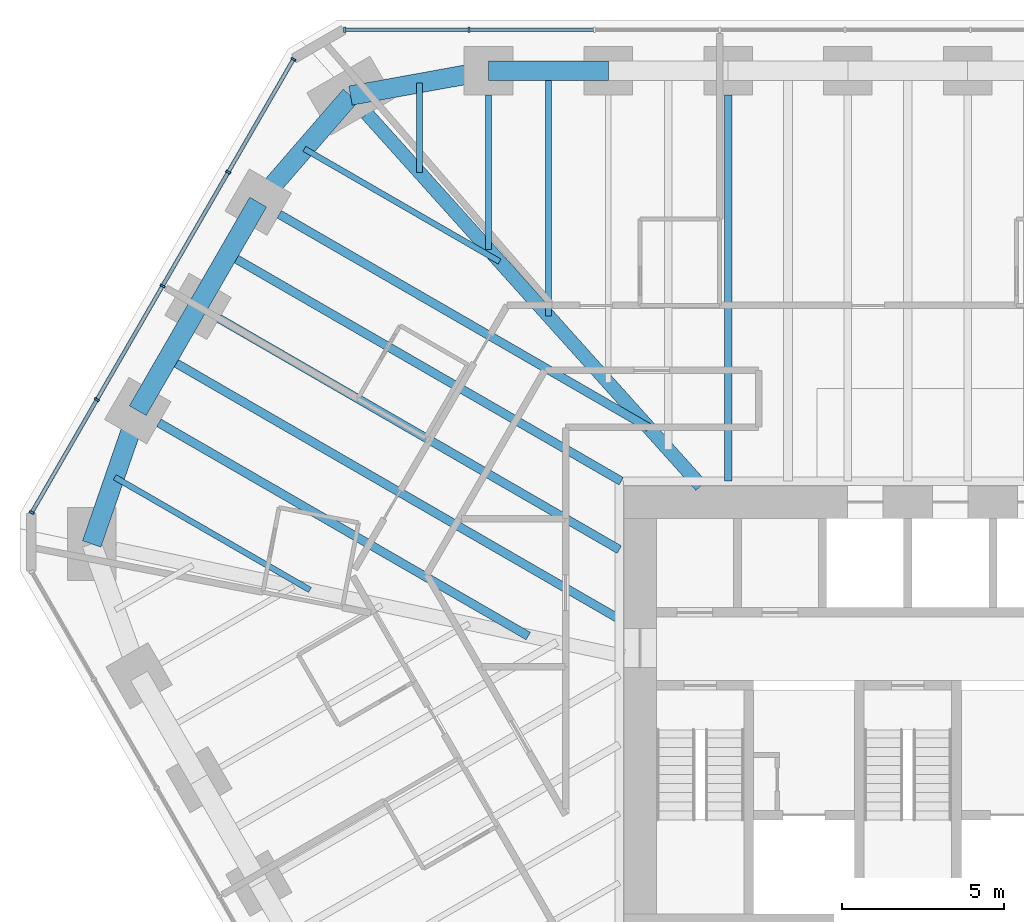
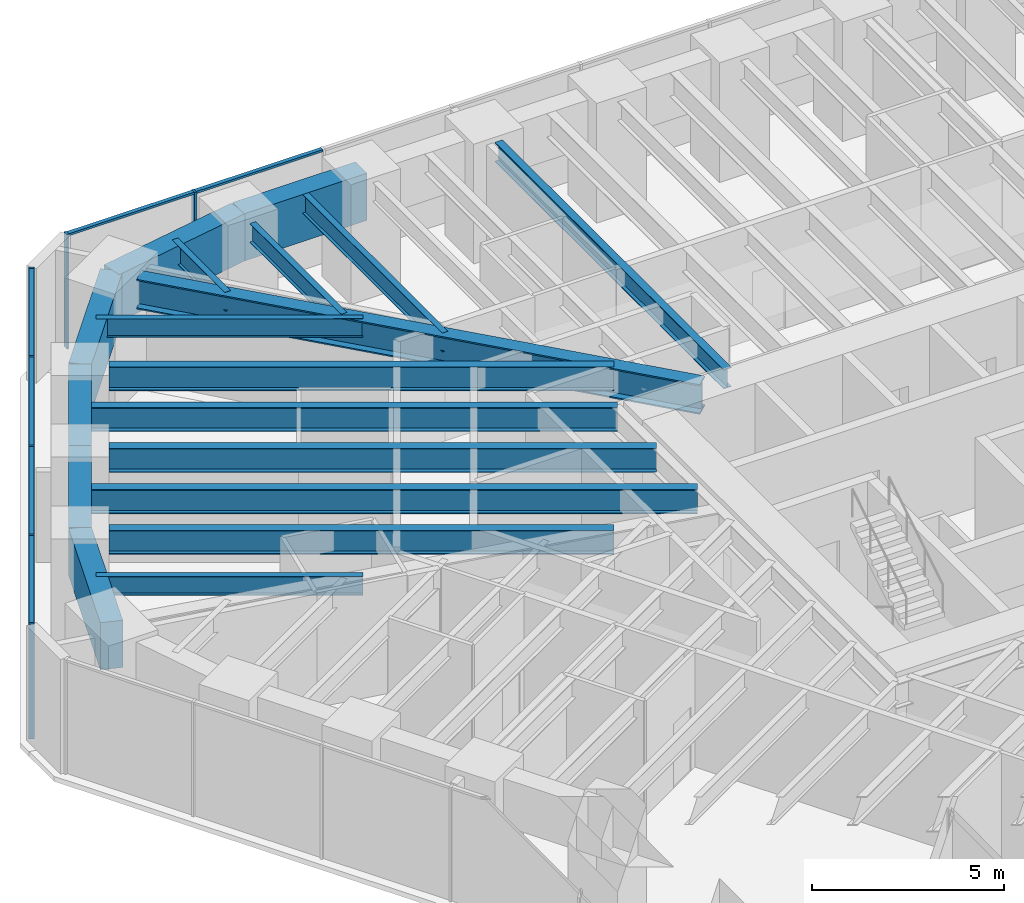
# One storey, part 7 of 17: 18 beams, 13 members, 2 elements without a shape of their own.
"""IFC4 building model written with IfcOpenShell, lengths in metres."""

from ifc_helpers import new_model, si_unit, direction, frame, origin, origin_2d, place, context, subcontext, project, spatial, rectangle, i_section, extrude, material, material_profile, profile_set, type_object, element, aggregate, save


model = new_model("IFC4")

# Units and contexts
model_context = context("Model", 3, precision=1e-05, world=origin(), true_north=direction((0.0, 1.0)))
body_context = subcontext(model_context, "Body", "Model", "MODEL_VIEW")
ifc_project = project(units=[si_unit("LENGTHUNIT", "METRE"), si_unit("AREAUNIT", "SQUARE_METRE"), si_unit("VOLUMEUNIT", "CUBIC_METRE"), si_unit("PLANEANGLEUNIT", "RADIAN"), si_unit("MASSUNIT", "GRAM", prefix="KILO")], contexts=[model_context])

# Site, building, storey
site_placement = place(None, origin())
site = spatial("IfcSite", under=ifc_project, at=site_placement, CompositionType="ELEMENT")
building_placement = place(site_placement, origin())
building = spatial("IfcBuilding", under=site, at=building_placement, Name="Sandreach Pilgrim Tower", CompositionType="ELEMENT")
storey_placement = place(building_placement, frame((0.0, 0.0, 221.199951171875)))
storey = spatial("IfcBuildingStorey", under=building, at=storey_placement, Name="L55", CompositionType="ELEMENT", Elevation=221.199951171875)

# Curtain wall, members
ifc_material_1 = material(Name="Aluminium framed curtain wall", Category="aluminium")
curtain_wall_type = type_object("IfcCurtainWallType", Name="Upper hotel tower curtain wall", PredefinedType="NOTDEFINED", material=ifc_material_1)
curtain_wall_1_placement = place(storey_placement, origin())
curtain_wall_1 = element("IfcCurtainWall", 1, at=curtain_wall_1_placement, inside=storey, type_object=curtain_wall_type, Name="CW-3 L55 N", PredefinedType="NOTDEFINED")
ifc_material_2 = material(Name="Aluminium extrusion", Category="aluminium")
ifc_material_profile_1 = material_profile(ifc_material_2, rectangle(XDim=0.06494140625, YDim=0.159912109375, at=origin_2d()), Name="CW-3M 65X160")
ifc_profile_set_1 = profile_set([ifc_material_profile_1], Name="Aluminium extrusion")
member_type_1 = type_object("IfcMemberType", Name="CW-3 mullion", PredefinedType="MULLION", material=ifc_profile_set_1)
member_1_placement = place(storey_placement, frame((-17.357421875, 21.16015625, 0.0), z_axis=(0.0, 0.0, 1.0), x_axis=(1.0, 0.0, 0.0)))
member_1 = element("IfcMember", 2, at=member_1_placement, type_object=member_type_1, Name="CW-3 mullion 1", PredefinedType="MULLION", context=body_context, shape_type="SweptSolid", body=[
    extrude(rectangle(XDim=0.06494140625, YDim=0.159912109375, at=origin_2d()), origin(), (0.0, 0.0, 1.0), 3.64013671875),
])
member_2_placement = place(storey_placement, frame((-13.525390625, 21.16015625, 0.0), z_axis=(0.0, 0.0, 1.0), x_axis=(1.0, 0.0, 0.0)))
member_2 = element("IfcMember", 3, at=member_2_placement, type_object=member_type_1, Name="CW-3 mullion 2", PredefinedType="MULLION", context=body_context, shape_type="SweptSolid", body=[
    extrude(rectangle(XDim=0.06494140625, YDim=0.159912109375, at=origin_2d()), origin(), (0.0, 0.0, 1.0), 3.64013671875),
])

curtain_wall_2_placement = place(storey_placement, origin())
curtain_wall_2 = element("IfcCurtainWall", 4, at=curtain_wall_2_placement, inside=storey, type_object=curtain_wall_type, Name="CW-3 L55 NW", PredefinedType="NOTDEFINED")
member_3_placement = place(storey_placement, frame((-27.00390625, 6.278076171875, 0.0), z_axis=(0.0, 0.0, 1.0), x_axis=(0.5, 0.866025403784, 0.0)))
member_3 = element("IfcMember", 5, at=member_3_placement, type_object=member_type_1, Name="CW-3 mullion 1", PredefinedType="MULLION", context=body_context, shape_type="SweptSolid", body=[
    extrude(rectangle(XDim=0.06494140625, YDim=0.159912109375, at=origin_2d()), origin(), (0.0, 0.0, 1.0), 3.64013671875),
])
member_4_placement = place(storey_placement, frame((-24.995849609375, 9.75634765625, 0.0), z_axis=(0.0, 0.0, 1.0), x_axis=(0.5, 0.866025403784, 0.0)))
member_4 = element("IfcMember", 6, at=member_4_placement, type_object=member_type_1, Name="CW-3 mullion 2", PredefinedType="MULLION", context=body_context, shape_type="SweptSolid", body=[
    extrude(rectangle(XDim=0.06494140625, YDim=0.159912109375, at=origin_2d()), origin(), (0.0, 0.0, 1.0), 3.64013671875),
])
member_5_placement = place(storey_placement, frame((-22.971435546875, 13.262451171875, 0.0), z_axis=(0.0, 0.0, 1.0), x_axis=(0.5, 0.866025403784, 0.0)))
member_5 = element("IfcMember", 7, at=member_5_placement, type_object=member_type_1, Name="CW-3 mullion 3", PredefinedType="MULLION", context=body_context, shape_type="SweptSolid", body=[
    extrude(rectangle(XDim=0.06494140625, YDim=0.159912109375, at=origin_2d()), origin(), (0.0, 0.0, 1.0), 3.64013671875),
])
member_6_placement = place(storey_placement, frame((-20.947021484375, 16.768798828125, 0.0), z_axis=(0.0, 0.0, 1.0), x_axis=(0.5, 0.866025403784, 0.0)))
member_6 = element("IfcMember", 8, at=member_6_placement, type_object=member_type_1, Name="CW-3 mullion 4", PredefinedType="MULLION", context=body_context, shape_type="SweptSolid", body=[
    extrude(rectangle(XDim=0.06494140625, YDim=0.159912109375, at=origin_2d()), origin(), (0.0, 0.0, 1.0), 3.64013671875),
])
member_7_placement = place(storey_placement, frame((-18.93896484375, 20.2470703125, 0.0), z_axis=(0.0, 0.0, 1.0), x_axis=(0.5, 0.866025403784, 0.0)))
member_7 = element("IfcMember", 9, at=member_7_placement, type_object=member_type_1, Name="CW-3 mullion 5", PredefinedType="MULLION", context=body_context, shape_type="SweptSolid", body=[
    extrude(rectangle(XDim=0.06494140625, YDim=0.159912109375, at=origin_2d()), origin(), (0.0, 0.0, 1.0), 3.64013671875),
])

# Member
ifc_material_3 = material(Name="Aluminium extrusion", Category="aluminium")
ifc_material_profile_2 = material_profile(ifc_material_3, rectangle(XDim=0.1201171875, YDim=0.070068359375, at=origin_2d()), Name="CW-3T 120X70")
ifc_profile_set_2 = profile_set([ifc_material_profile_2], Name="Aluminium extrusion")
member_type_2 = type_object("IfcMemberType", Name="CW-3 transom", PredefinedType="USERDEFINED", material=ifc_profile_set_2)
member_8_placement = place(storey_placement, frame((-17.324951171875, 21.16015625, 3.60498046875), z_axis=(1.0, 0.0, 0.0), x_axis=(0.0, 1.0, 0.0)))
member_8 = element("IfcMember", 10, at=member_8_placement, type_object=member_type_2, Name="CW-3 head transom 1", ObjectType="TRANSOM", PredefinedType="USERDEFINED", context=body_context, shape_type="SweptSolid", body=[
    extrude(rectangle(XDim=0.1201171875, YDim=0.070068359375, at=origin_2d()), origin(), (0.0, 0.0, 1.0), 3.76708984375),
])

member_9_placement = place(storey_placement, frame((-13.492919921875, 21.16015625, 3.60498046875), z_axis=(1.0, 0.0, 0.0), x_axis=(0.0, 1.0, 0.0)))
member_9 = element("IfcMember", 11, at=member_9_placement, type_object=member_type_2, Name="CW-3 head transom 2", ObjectType="TRANSOM", PredefinedType="USERDEFINED", context=body_context, shape_type="SweptSolid", body=[
    extrude(rectangle(XDim=0.1201171875, YDim=0.070068359375, at=origin_2d()), origin(), (0.0, 0.0, 1.0), 3.79931640625),
])

aggregate(curtain_wall_1, [member_1, member_2, member_8, member_9])

member_10_placement = place(storey_placement, frame((-26.987548828125, 6.306396484375, 3.60498046875), z_axis=(0.499993448556, 0.866029186229, 0.0), x_axis=(-0.866029186229, 0.499993448556, 0.0)))
member_10 = element("IfcMember", 12, at=member_10_placement, type_object=member_type_2, Name="CW-3 head transom 1", ObjectType="TRANSOM", PredefinedType="USERDEFINED", context=body_context, shape_type="SweptSolid", body=[
    extrude(rectangle(XDim=0.1201171875, YDim=0.070068359375, at=origin_2d()), origin(), (0.0, 0.0, 1.0), 3.951171875),
])

member_11_placement = place(storey_placement, frame((-24.9794921875, 9.784423828125, 3.60498046875), z_axis=(0.499975332564, 0.866039645067, 0.0), x_axis=(-0.866039645067, 0.499975332564, 0.0)))
member_11 = element("IfcMember", 13, at=member_11_placement, type_object=member_type_2, Name="CW-3 head transom 2", ObjectType="TRANSOM", PredefinedType="USERDEFINED", context=body_context, shape_type="SweptSolid", body=[
    extrude(rectangle(XDim=0.1201171875, YDim=0.070068359375, at=origin_2d()), origin(), (0.0, 0.0, 1.0), 3.983642578125),
])

member_12_placement = place(storey_placement, frame((-22.955078125, 13.290771484375, 3.60498046875), z_axis=(0.499975332564, 0.866039645067, 0.0), x_axis=(-0.866039645067, 0.499975332564, 0.0)))
member_12 = element("IfcMember", 14, at=member_12_placement, type_object=member_type_2, Name="CW-3 head transom 3", ObjectType="TRANSOM", PredefinedType="USERDEFINED", context=body_context, shape_type="SweptSolid", body=[
    extrude(rectangle(XDim=0.1201171875, YDim=0.070068359375, at=origin_2d()), origin(), (0.0, 0.0, 1.0), 3.983642578125),
])

member_13_placement = place(storey_placement, frame((-20.930908203125, 16.796875, 3.60498046875), z_axis=(0.499993448556, 0.866029186229, 0.0), x_axis=(-0.866029186229, 0.499993448556, 0.0)))
member_13 = element("IfcMember", 15, at=member_13_placement, type_object=member_type_2, Name="CW-3 head transom 4", ObjectType="TRANSOM", PredefinedType="USERDEFINED", context=body_context, shape_type="SweptSolid", body=[
    extrude(rectangle(XDim=0.1201171875, YDim=0.070068359375, at=origin_2d()), origin(), (0.0, 0.0, 1.0), 3.951171875),
])

aggregate(curtain_wall_2, [member_3, member_4, member_5, member_6, member_7, member_10, member_11, member_12, member_13])

# Beams
ifc_material_4 = material(Name="Steel ASTM A992 Grade 50", Category="steel")
ifc_material_profile_3 = material_profile(ifc_material_4, i_section(OverallWidth=0.424072265625, OverallDepth=0.947509765625, WebThickness=0.02392578125, FlangeThickness=0.042724609375, at=origin_2d()), Name="W36X302")
ifc_profile_set_3 = profile_set([ifc_material_profile_3], Name="Steel ASTM A992 Grade 50")
beam_type_1 = type_object("IfcBeamType", Name="Corner girder W36X302", PredefinedType="BEAM", material=ifc_profile_set_3)
beam_1_placement = place(storey_placement, frame((-16.677001953125, 18.572509765625, 3.166259765625), z_axis=(0.668116607722, -0.744056582853, 0.0), x_axis=(0.744056582853, 0.668116607722, 0.0)))
element("IfcBeam", 16, at=beam_1_placement, inside=storey, type_object=beam_type_1, Name="BM L55 CG39", PredefinedType="BEAM", context=body_context, shape_type="SweptSolid", body=[
    extrude(i_section(OverallWidth=0.424072265625, OverallDepth=0.947509765625, WebThickness=0.02392578125, FlangeThickness=0.042724609375, at=origin_2d()), origin(), (0.0, 0.0, 1.0), 15.418701171875),
])
ifc_material_5 = material(Name="Steel ASTM A992 Grade 50", Category="steel")
ifc_material_profile_4 = material_profile(ifc_material_5, i_section(OverallWidth=0.1787109375, OverallDepth=0.60205078125, WebThickness=0.010986328125, FlangeThickness=0.014892578125, at=origin_2d()), Name="W24X62")
ifc_profile_set_4 = profile_set([ifc_material_profile_4], Name="Steel ASTM A992 Grade 50")
beam_type_2 = type_object("IfcBeamType", Name="Floor beam W24X62", PredefinedType="BEAM", material=ifc_profile_set_4)
beam_2_placement = place(storey_placement, frame((-12.923828125, 19.150146484375, 3.339111328125), z_axis=(0.0, -1.0, 0.0), x_axis=(1.0, 0.0, 0.0)))
element("IfcBeam", 17, at=beam_2_placement, inside=storey, type_object=beam_type_2, Name="BM L55 F01", PredefinedType="BEAM", context=body_context, shape_type="SweptSolid", body=[
    extrude(i_section(OverallWidth=0.1787109375, OverallDepth=0.60205078125, WebThickness=0.010986328125, FlangeThickness=0.014892578125, at=origin_2d()), origin(), (0.0, 0.0, 1.0), 4.757568359375),
])
beam_3_placement = place(storey_placement, frame((-11.077392578125, 19.900146484375, 3.339111328125), z_axis=(0.0, -1.0, 0.0), x_axis=(1.0, 0.0, 0.0)))
element("IfcBeam", 18, at=beam_3_placement, inside=storey, type_object=beam_type_2, Name="BM L55 FM01", PredefinedType="BEAM", context=body_context, shape_type="SweptSolid", body=[
    extrude(i_section(OverallWidth=0.1787109375, OverallDepth=0.60205078125, WebThickness=0.010986328125, FlangeThickness=0.014892578125, at=origin_2d()), origin(), (0.0, 0.0, 1.0), 7.563720703125),
])
for number, where, z_axis, x_axis, name in (
    (19, (-24.446044921875, 7.365234375, 3.339111328125), (0.866029381593, -0.499993110171, 0.0), (0.499993110171, 0.866029381593, 0.0), "BM L55 FM35"),
    (20, (-18.6015625, 17.48828125, 3.339111328125), (0.866029381593, -0.499993110171, 0.0), (0.499993110171, 0.866029381593, 0.0), "BM L55 FM38"),
):
    element("IfcBeam", number, at=place(storey_placement, frame(where, z_axis=z_axis, x_axis=x_axis)), inside=storey, type_object=beam_type_2, Name=name, PredefinedType="BEAM", context=body_context, shape_type="SweptSolid", body=[
        extrude(i_section(OverallWidth=0.1787109375, OverallDepth=0.60205078125, WebThickness=0.010986328125, FlangeThickness=0.014892578125, at=origin_2d()), origin(), (0.0, 0.0, 1.0), 6.94921875),
    ])
beam_4_placement = place(storey_placement, frame((-15.05078125, 19.515380859375, 3.339111328125), z_axis=(0.0, -1.0, 0.0), x_axis=(1.0, 0.0, 0.0)))
element("IfcBeam", 21, at=beam_4_placement, inside=storey, type_object=beam_type_2, Name="BM L55 FM39", PredefinedType="BEAM", context=body_context, shape_type="SweptSolid", body=[
    extrude(i_section(OverallWidth=0.1787109375, OverallDepth=0.60205078125, WebThickness=0.010986328125, FlangeThickness=0.014892578125, at=origin_2d()), origin(), (0.0, 0.0, 1.0), 2.75390625),
])
ifc_material_6 = material(Name="Steel ASTM A992 Grade 50", Category="steel")
ifc_material_profile_5 = material_profile(ifc_material_6, i_section(OverallWidth=0.23046875, OverallDepth=0.6171875, WebThickness=0.01318359375, FlangeThickness=0.022216796875, at=origin_2d()), Name="W24X94")
ifc_profile_set_5 = profile_set([ifc_material_profile_5], Name="Steel ASTM A992 Grade 50")
beam_type_3 = type_object("IfcBeamType", Name="Floor beam W24X94", PredefinedType="BEAM", material=ifc_profile_set_5)
beam_5_placement = place(storey_placement, frame((-5.538818359375, 19.150146484375, 3.33154296875), z_axis=(0.0, -1.0, 0.0), x_axis=(1.0, 0.0, 0.0)))
element("IfcBeam", 22, at=beam_5_placement, inside=storey, type_object=beam_type_3, Name="BM L55 F03", PredefinedType="BEAM", context=body_context, shape_type="SweptSolid", body=[
    extrude(i_section(OverallWidth=0.23046875, OverallDepth=0.6171875, WebThickness=0.01318359375, FlangeThickness=0.022216796875, at=origin_2d()), origin(), (0.0, 0.0, 1.0), 11.90673828125),
])
ifc_material_7 = material(Name="Steel ASTM A992 Grade 50", Category="steel")
ifc_material_profile_6 = material_profile(ifc_material_7, i_section(OverallWidth=0.2666015625, OverallDepth=0.761962890625, WebThickness=0.014404296875, FlangeThickness=0.021484375, at=origin_2d()), Name="W30X116")
ifc_profile_set_6 = profile_set([ifc_material_profile_6], Name="Steel ASTM A992 Grade 50")
beam_type_4 = type_object("IfcBeamType", Name="Floor beam W30X116", PredefinedType="BEAM", material=ifc_profile_set_6)
beam_6_placement = place(storey_placement, frame((-23.0859375, 9.044189453125, 3.259033203125), z_axis=(0.866026962808, -0.499997299682, 0.0), x_axis=(0.499997299682, 0.866026962808, 0.0)))
element("IfcBeam", 23, at=beam_6_placement, inside=storey, type_object=beam_type_4, Name="BM L55 F36", PredefinedType="BEAM", context=body_context, shape_type="SweptSolid", body=[
    extrude(i_section(OverallWidth=0.2666015625, OverallDepth=0.761962890625, WebThickness=0.014404296875, FlangeThickness=0.021484375, at=origin_2d()), origin(), (0.0, 0.0, 1.0), 13.1484375),
])
beam_7_placement = place(storey_placement, frame((-21.230712890625, 12.257568359375, 3.259033203125), z_axis=(0.866024056942, -0.500002332792, 0.0), x_axis=(0.500002332792, 0.866024056942, 0.0)))
element("IfcBeam", 24, at=beam_7_placement, inside=storey, type_object=beam_type_4, Name="BM L55 F37", PredefinedType="BEAM", context=body_context, shape_type="SweptSolid", body=[
    extrude(i_section(OverallWidth=0.2666015625, OverallDepth=0.761962890625, WebThickness=0.014404296875, FlangeThickness=0.021484375, at=origin_2d()), origin(), (0.0, 0.0, 1.0), 14.24609375),
])
beam_8_placement = place(storey_placement, frame((-19.37548828125, 15.470947265625, 3.259033203125), z_axis=(0.866022320763, -0.500005339912, 0.0), x_axis=(0.500005339912, 0.866022320763, 0.0)))
element("IfcBeam", 25, at=beam_8_placement, inside=storey, type_object=beam_type_4, Name="BM L55 F38", PredefinedType="BEAM", context=body_context, shape_type="SweptSolid", body=[
    extrude(i_section(OverallWidth=0.2666015625, OverallDepth=0.761962890625, WebThickness=0.014404296875, FlangeThickness=0.021484375, at=origin_2d()), origin(), (0.0, 0.0, 1.0), 13.148193359375),
])
beam_9_placement = place(storey_placement, frame((-20.95263671875, 14.2392578125, 3.259033203125), z_axis=(0.866025770688, -0.499999364504, 0.0), x_axis=(0.499999364504, 0.866025770688, 0.0)))
element("IfcBeam", 26, at=beam_9_placement, inside=storey, type_object=beam_type_4, Name="BM L55 FM37", PredefinedType="BEAM", context=body_context, shape_type="SweptSolid", body=[
    extrude(i_section(OverallWidth=0.2666015625, OverallDepth=0.761962890625, WebThickness=0.014404296875, FlangeThickness=0.021484375, at=origin_2d()), origin(), (0.0, 0.0, 1.0), 13.99169921875),
])
ifc_material_8 = material(Name="Steel ASTM A992 Grade 50", Category="steel")
ifc_material_profile_7 = material_profile(ifc_material_8, i_section(OverallWidth=0.2666015625, OverallDepth=0.77978515625, WebThickness=0.0166015625, FlangeThickness=0.030029296875, at=origin_2d()), Name="W30X148")
ifc_profile_set_7 = profile_set([ifc_material_profile_7], Name="Steel ASTM A992 Grade 50")
beam_type_5 = type_object("IfcBeamType", Name="Floor beam W30X148", PredefinedType="BEAM", material=ifc_profile_set_7)
beam_10_placement = place(storey_placement, frame((-22.807861328125, 11.02587890625, 3.250244140625), z_axis=(0.866028701771, -0.499994287676, 0.0), x_axis=(0.499994287676, 0.866028701771, 0.0)))
element("IfcBeam", 27, at=beam_10_placement, inside=storey, type_object=beam_type_5, Name="BM L55 FM36", PredefinedType="BEAM", context=body_context, shape_type="SweptSolid", body=[
    extrude(i_section(OverallWidth=0.2666015625, OverallDepth=0.77978515625, WebThickness=0.0166015625, FlangeThickness=0.030029296875, at=origin_2d()), origin(), (0.0, 0.0, 1.0), 16.067138671875),
])
ifc_material_9 = material(Name="Concrete 10000 psi", Category="concrete")
ifc_material_profile_8 = material_profile(ifc_material_9, rectangle(XDim=0.60009765625, YDim=1.5, at=origin_2d()), Name="RC600X1500")
ifc_profile_set_8 = profile_set([ifc_material_profile_8], Name="Concrete 10000 psi")
beam_type_6 = type_object("IfcBeamType", Name="Spandrel beam RC600X1500", PredefinedType="SPANDREL", material=ifc_profile_set_8)
beam_11_placement = place(storey_placement, frame((-12.923828125, 19.900146484375, 2.89013671875), z_axis=(1.0, 0.0, 0.0), x_axis=(0.0, 1.0, 0.0)))
element("IfcBeam", 28, at=beam_11_placement, inside=storey, type_object=beam_type_6, Name="BM L55 SP01", PredefinedType="SPANDREL", context=body_context, shape_type="SweptSolid", body=[
    extrude(rectangle(XDim=0.60009765625, YDim=1.5, at=origin_2d()), origin(), (0.0, 0.0, 1.0), 3.692626953125),
])
beam_12_placement = place(storey_placement, frame((-25.156494140625, 5.311279296875, 2.89013671875), z_axis=(0.326940800053, 0.945044820768, 0.0), x_axis=(-0.945044820768, 0.326940800053, 0.0)))
element("IfcBeam", 29, at=beam_12_placement, inside=storey, type_object=beam_type_6, Name="BM L55 SP35", PredefinedType="SPANDREL", context=body_context, shape_type="SweptSolid", body=[
    extrude(rectangle(XDim=0.60009765625, YDim=1.5, at=origin_2d()), origin(), (0.0, 0.0, 1.0), 4.3466796875),
])
for number, where, z_axis, x_axis, name in (
    (30, (-23.7353515625, 9.419189453125, 2.89013671875), (0.499946491854, 0.866056294523, 0.0), (-0.866056294523, 0.499946491854, 0.0), "BM L55 SP36"),
    (31, (-21.88037109375, 12.632568359375, 2.89013671875), (0.499995842751, 0.86602780396, 0.0), (-0.86602780396, 0.499995842751, 0.0), "BM L55 SP37"),
):
    element("IfcBeam", number, at=place(storey_placement, frame(where, z_axis=z_axis, x_axis=x_axis)), inside=storey, type_object=beam_type_6, Name=name, PredefinedType="SPANDREL", context=body_context, shape_type="SweptSolid", body=[
        extrude(rectangle(XDim=0.60009765625, YDim=1.5, at=origin_2d()), origin(), (0.0, 0.0, 1.0), 3.71044921875),
    ])
beam_13_placement = place(storey_placement, frame((-20.025146484375, 15.845947265625, 2.89013671875), z_axis=(0.65499040715, 0.755637192402, 0.0), x_axis=(-0.755637192402, 0.65499040715, 0.0)))
element("IfcBeam", 32, at=beam_13_placement, inside=storey, type_object=beam_type_6, Name="BM L55 SP38", PredefinedType="SPANDREL", context=body_context, shape_type="SweptSolid", body=[
    extrude(rectangle(XDim=0.60009765625, YDim=1.5, at=origin_2d()), origin(), (0.0, 0.0, 1.0), 4.346923828125),
])
beam_14_placement = place(storey_placement, frame((-17.177978515625, 19.130615234375, 2.89013671875), z_axis=(0.984030345637, 0.178000783326, 0.0), x_axis=(-0.178000783326, 0.984030345637, 0.0)))
element("IfcBeam", 33, at=beam_14_placement, inside=storey, type_object=beam_type_6, Name="BM L55 SP39", PredefinedType="SPANDREL", context=body_context, shape_type="SweptSolid", body=[
    extrude(rectangle(XDim=0.60009765625, YDim=1.5, at=origin_2d()), origin(), (0.0, 0.0, 1.0), 4.3232421875),
])

save(model, "model.ifc")
